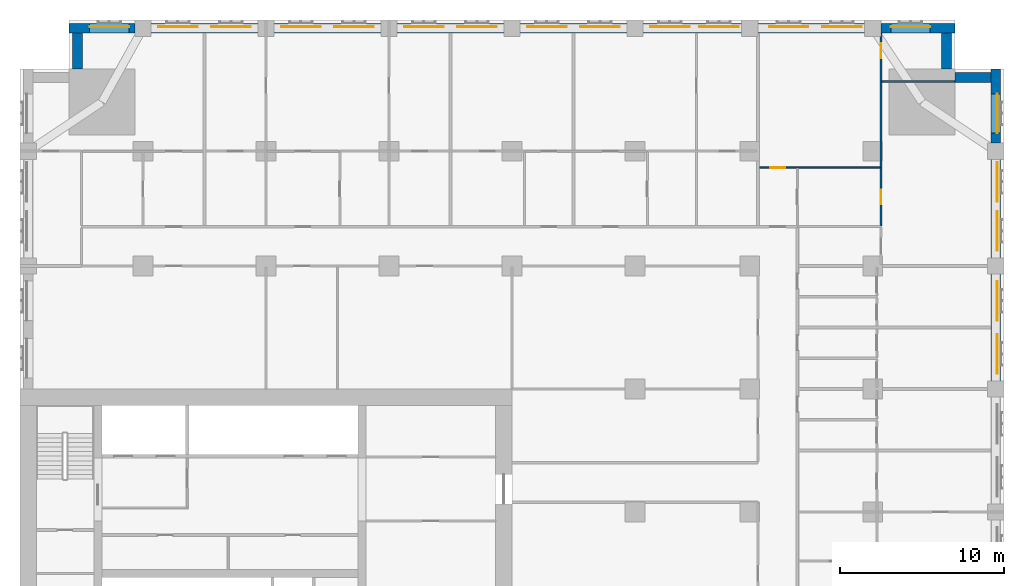
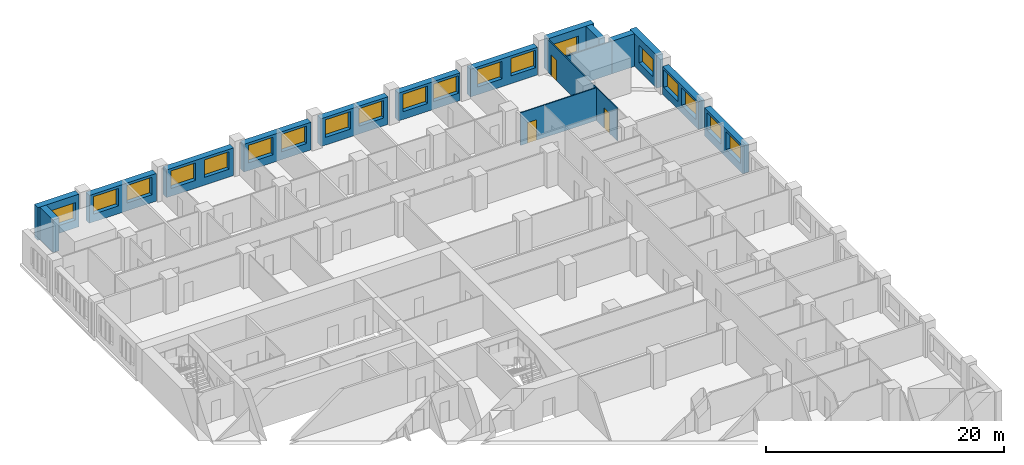
# One storey, part 11 of 14: 19 windows, 17 walls, 3 doors, 22 openings.
"""IFC4 building model written with IfcOpenShell, lengths in metres."""

from ifc_helpers import new_model, si_unit, direction, frame, frame_2d, origin, place, context, subcontext, project, spatial, rectangle, extrude, material, layer, layer_set, type_object, element, fill, save


model = new_model("IFC4")

# Units and contexts
model_context = context("Model", 3, precision=1e-05, world=origin(), true_north=direction((0.0, 1.0)))
body_context = subcontext(model_context, "Body", "Model", "MODEL_VIEW")
ifc_project = project(units=[si_unit("LENGTHUNIT", "METRE"), si_unit("AREAUNIT", "SQUARE_METRE"), si_unit("VOLUMEUNIT", "CUBIC_METRE"), si_unit("PLANEANGLEUNIT", "RADIAN"), si_unit("MASSUNIT", "GRAM", prefix="KILO")], contexts=[model_context])

# Site, building, storey
site_placement = place(None, origin())
site = spatial("IfcSite", under=ifc_project, at=site_placement, CompositionType="ELEMENT")
building_placement = place(site_placement, origin())
building = spatial("IfcBuilding", under=site, at=building_placement, Name="Tamorin Gate", CompositionType="ELEMENT")
storey_placement = place(building_placement, frame((0.0, 0.0, 55.60009765625)))
storey = spatial("IfcBuildingStorey", under=building, at=storey_placement, Name="L12", CompositionType="ELEMENT", Elevation=55.60009765625)

# Wall, openings, windows
ifc_material_1 = material(Name="Precast concrete C40/50", Category="concrete")
ifc_layer_1 = layer(ifc_material_1, 0.60009765625)
ifc_layer_set_1 = layer_set([ifc_layer_1], Name="Precast concrete C40/50")
wall_type_1 = type_object("IfcWallType", Name="Board-marked concrete facade panel 600", PredefinedType="SOLIDWALL", material=ifc_layer_set_1)
wall_1_placement = place(storey_placement, frame((89.5, 83.0, 0.0), z_axis=(0.0, 0.0, 1.0), x_axis=(0.0, 1.0, 0.0)))
wall_1 = element("IfcWall", 1, at=wall_1_placement, inside=storey, type_object=wall_type_1, Name="Facade panel", PredefinedType="SOLIDWALL", context=body_context, shape_type="SweptSolid", body=[
    extrude(rectangle(XDim=6.5, YDim=0.60009765625, at=frame_2d((3.25, 0.0))), origin(), (0.0, 0.0, 1.0), 2.849853515625),
])
opening_1_placement = place(wall_1_placement, frame((0.425048828125, 0.0, 0.800048828125)))
opening_1 = element("IfcOpeningElement", 2, at=opening_1_placement, cuts=wall_1, Name="Opening WN1", PredefinedType="OPENING", context=body_context, shape_type="SweptSolid", body=[
    extrude(rectangle(XDim=2.39990234375, YDim=1.800048828125, at=frame_2d((1.199951171875, 0.89990234375))), frame((0.0, 0.31005859375, 0.0), z_axis=(0.0, -1.0, 0.0), x_axis=(1.0, 0.0, 0.0)), (0.0, 0.0, 1.0), 0.6201171875),
])
opening_2_placement = place(wall_1_placement, frame((3.675048828125, 0.0, 0.800048828125)))
opening_2 = element("IfcOpeningElement", 3, at=opening_2_placement, cuts=wall_1, Name="Opening WN1", PredefinedType="OPENING", context=body_context, shape_type="SweptSolid", body=[
    extrude(rectangle(XDim=2.39990234375, YDim=1.800048828125, at=frame_2d((1.199951171875, 0.89990234375))), frame((0.0, 0.31005859375, 0.0), z_axis=(0.0, -1.0, 0.0), x_axis=(1.0, 0.0, 0.0)), (0.0, 0.0, 1.0), 0.6201171875),
])
ifc_material_2 = material(Name="Clear glass in aluminium frame", Category="aluminium")
window_type = type_object("IfcWindowType", Name="Deep-set window 2400x1800", PartitioningType="SINGLE_PANEL", PredefinedType="WINDOW", material=ifc_material_2)
window_1_placement = place(opening_1_placement, origin())
window_1 = element("IfcWindow", 4, at=window_1_placement, inside=storey, type_object=window_type, Name="Deep-set window", OverallHeight=1.800048828125, OverallWidth=2.39990234375, PartitioningType="SINGLE_PANEL", PredefinedType="WINDOW", context=body_context, shape_type="SweptSolid", body=[
    extrude(rectangle(XDim=2.39990234375, YDim=1.800048828125, at=frame_2d((1.199951171875, 0.89990234375))), frame((0.0, -0.070068359375, 0.0), z_axis=(0.0, -1.0, 0.0), x_axis=(1.0, 0.0, 0.0)), (0.0, 0.0, 1.0), 0.06005859375),
])
fill(opening_1, window_1)
window_2_placement = place(opening_2_placement, origin())
window_2 = element("IfcWindow", 5, at=window_2_placement, inside=storey, type_object=window_type, Name="Deep-set window", OverallHeight=1.800048828125, OverallWidth=2.39990234375, PartitioningType="SINGLE_PANEL", PredefinedType="WINDOW", context=body_context, shape_type="SweptSolid", body=[
    extrude(rectangle(XDim=2.39990234375, YDim=1.800048828125, at=frame_2d((1.199951171875, 0.89990234375))), frame((0.0, -0.070068359375, 0.0), z_axis=(0.0, -1.0, 0.0), x_axis=(1.0, 0.0, 0.0)), (0.0, 0.0, 1.0), 0.06005859375),
])
fill(opening_2, window_2)

wall_2_placement = place(storey_placement, frame((89.5, 90.5, 0.0), z_axis=(0.0, 0.0, 1.0), x_axis=(0.0, 1.0, 0.0)))
wall_2 = element("IfcWall", 6, at=wall_2_placement, inside=storey, type_object=wall_type_1, Name="Facade panel", PredefinedType="SOLIDWALL", context=body_context, shape_type="SweptSolid", body=[
    extrude(rectangle(XDim=6.0, YDim=0.60009765625, at=frame_2d((3.0, 0.0))), origin(), (0.0, 0.0, 1.0), 2.849853515625),
])
opening_3_placement = place(wall_2_placement, frame((0.425048828125, 0.0, 0.800048828125)))
opening_3 = element("IfcOpeningElement", 7, at=opening_3_placement, cuts=wall_2, Name="Opening WN1", PredefinedType="OPENING", context=body_context, shape_type="SweptSolid", body=[
    extrude(rectangle(XDim=2.39990234375, YDim=1.800048828125, at=frame_2d((1.199951171875, 0.89990234375))), frame((0.0, 0.31005859375, 0.0), z_axis=(0.0, -1.0, 0.0), x_axis=(1.0, 0.0, 0.0)), (0.0, 0.0, 1.0), 0.6201171875),
])
opening_4_placement = place(wall_2_placement, frame((3.425048828125, 0.0, 0.800048828125)))
opening_4 = element("IfcOpeningElement", 8, at=opening_4_placement, cuts=wall_2, Name="Opening WN1", PredefinedType="OPENING", context=body_context, shape_type="SweptSolid", body=[
    extrude(rectangle(XDim=2.39990234375, YDim=1.800048828125, at=frame_2d((1.199951171875, 0.89990234375))), frame((0.0, 0.31005859375, 0.0), z_axis=(0.0, -1.0, 0.0), x_axis=(1.0, 0.0, 0.0)), (0.0, 0.0, 1.0), 0.6201171875),
])
window_3_placement = place(opening_3_placement, origin())
window_3 = element("IfcWindow", 9, at=window_3_placement, inside=storey, type_object=window_type, Name="Deep-set window", OverallHeight=1.800048828125, OverallWidth=2.39990234375, PartitioningType="SINGLE_PANEL", PredefinedType="WINDOW", context=body_context, shape_type="SweptSolid", body=[
    extrude(rectangle(XDim=2.39990234375, YDim=1.800048828125, at=frame_2d((1.199951171875, 0.89990234375))), frame((0.0, -0.070068359375, 0.0), z_axis=(0.0, -1.0, 0.0), x_axis=(1.0, 0.0, 0.0)), (0.0, 0.0, 1.0), 0.06005859375),
])
fill(opening_3, window_3)
window_4_placement = place(opening_4_placement, origin())
window_4 = element("IfcWindow", 10, at=window_4_placement, inside=storey, type_object=window_type, Name="Deep-set window", OverallHeight=1.800048828125, OverallWidth=2.39990234375, PartitioningType="SINGLE_PANEL", PredefinedType="WINDOW", context=body_context, shape_type="SweptSolid", body=[
    extrude(rectangle(XDim=2.39990234375, YDim=1.800048828125, at=frame_2d((1.199951171875, 0.89990234375))), frame((0.0, -0.070068359375, 0.0), z_axis=(0.0, -1.0, 0.0), x_axis=(1.0, 0.0, 0.0)), (0.0, 0.0, 1.0), 0.06005859375),
])
fill(opening_4, window_4)

# Wall, opening, window
wall_3_placement = place(storey_placement, frame((89.5, 97.5, 0.0), z_axis=(0.0, 0.0, 1.0), x_axis=(0.0, 1.0, 0.0)))
wall_3 = element("IfcWall", 11, at=wall_3_placement, inside=storey, type_object=wall_type_1, Name="Facade panel", PredefinedType="SOLIDWALL", context=body_context, shape_type="SweptSolid", body=[
    extrude(rectangle(XDim=4.5, YDim=0.60009765625, at=frame_2d((2.25, 0.0))), origin(), (0.0, 0.0, 1.0), 3.349853515625),
])
opening_5_placement = place(wall_3_placement, frame((0.60009765625, 0.0, 0.800048828125)))
opening_5 = element("IfcOpeningElement", 12, at=opening_5_placement, cuts=wall_3, Name="Opening WN1", PredefinedType="OPENING", context=body_context, shape_type="SweptSolid", body=[
    extrude(rectangle(XDim=2.39990234375, YDim=1.800048828125, at=frame_2d((1.199951171875, 0.89990234375))), frame((0.0, 0.31005859375, 0.0), z_axis=(0.0, -1.0, 0.0), x_axis=(1.0, 0.0, 0.0)), (0.0, 0.0, 1.0), 0.6201171875),
])
window_5_placement = place(opening_5_placement, origin())
window_5 = element("IfcWindow", 13, at=window_5_placement, inside=storey, type_object=window_type, Name="Deep-set window", OverallHeight=1.800048828125, OverallWidth=2.39990234375, PartitioningType="SINGLE_PANEL", PredefinedType="WINDOW", context=body_context, shape_type="SweptSolid", body=[
    extrude(rectangle(XDim=2.39990234375, YDim=1.800048828125, at=frame_2d((1.199951171875, 0.89990234375))), frame((0.0, -0.070068359375, 0.0), z_axis=(0.0, -1.0, 0.0), x_axis=(1.0, 0.0, 0.0)), (0.0, 0.0, 1.0), 0.06005859375),
])
fill(opening_5, window_5)

# Walls
for number, where, z_axis, x_axis, name in (
    (14, (89.199951171875, 101.5, 0.0), (0.0, 0.0, 1.0), (-1.0, 0.0, 0.0), "Facade panel"),
    (15, (86.5, 102.0, 0.0), (0.0, 0.0, 1.0), (0.0, 1.0, 0.0), "Facade panel"),
):
    element("IfcWall", number, at=place(storey_placement, frame(where, z_axis=z_axis, x_axis=x_axis)), inside=storey, type_object=wall_type_1, Name=name, PredefinedType="SOLIDWALL", context=body_context, shape_type="SweptSolid", body=[
        extrude(rectangle(XDim=2.199951171875, YDim=0.60009765625, at=frame_2d((1.10009765625, 0.0))), origin(), (0.0, 0.0, 1.0), 3.349853515625),
    ])

# Wall, opening, window
wall_4_placement = place(storey_placement, frame((87.0, 104.5, 0.0), z_axis=(0.0, 0.0, 1.0), x_axis=(-1.0, 0.0, 0.0)))
wall_4 = element("IfcWall", 16, at=wall_4_placement, inside=storey, type_object=wall_type_1, Name="Facade panel", PredefinedType="SOLIDWALL", context=body_context, shape_type="SweptSolid", body=[
    extrude(rectangle(XDim=4.5, YDim=0.60009765625, at=frame_2d((2.25, 0.0))), origin(), (0.0, 0.0, 1.0), 3.349853515625),
])
opening_6_placement = place(wall_4_placement, frame((1.5, 0.0, 0.800048828125)))
opening_6 = element("IfcOpeningElement", 17, at=opening_6_placement, cuts=wall_4, Name="Opening WN1", PredefinedType="OPENING", context=body_context, shape_type="SweptSolid", body=[
    extrude(rectangle(XDim=2.39990234375, YDim=1.800048828125, at=frame_2d((1.199951171875, 0.89990234375))), frame((0.0, 0.31005859375, 0.0), z_axis=(0.0, -1.0, 0.0), x_axis=(1.0, 0.0, 0.0)), (0.0, 0.0, 1.0), 0.6201171875),
])
window_6_placement = place(opening_6_placement, origin())
window_6 = element("IfcWindow", 18, at=window_6_placement, inside=storey, type_object=window_type, Name="Deep-set window", OverallHeight=1.800048828125, OverallWidth=2.39990234375, PartitioningType="SINGLE_PANEL", PredefinedType="WINDOW", context=body_context, shape_type="SweptSolid", body=[
    extrude(rectangle(XDim=2.39990234375, YDim=1.800048828125, at=frame_2d((1.199951171875, 0.89990234375))), frame((0.0, -0.070068359375, 0.0), z_axis=(0.0, -1.0, 0.0), x_axis=(1.0, 0.0, 0.0)), (0.0, 0.0, 1.0), 0.06005859375),
])
fill(opening_6, window_6)

# Wall, openings, windows
wall_5_placement = place(storey_placement, frame((81.5, 104.5, 0.0), z_axis=(0.0, 0.0, 1.0), x_axis=(-1.0, 0.0, 0.0)))
wall_5 = element("IfcWall", 19, at=wall_5_placement, inside=storey, type_object=wall_type_1, Name="Facade panel", PredefinedType="SOLIDWALL", context=body_context, shape_type="SweptSolid", body=[
    extrude(rectangle(XDim=6.5, YDim=0.60009765625, at=frame_2d((3.25, 0.0))), origin(), (0.0, 0.0, 1.0), 2.849853515625),
])
opening_7_placement = place(wall_5_placement, frame((3.425048828125, 0.0, 0.800048828125)))
opening_7 = element("IfcOpeningElement", 20, at=opening_7_placement, cuts=wall_5, Name="Opening WN1", PredefinedType="OPENING", context=body_context, shape_type="SweptSolid", body=[
    extrude(rectangle(XDim=2.39990234375, YDim=1.800048828125, at=frame_2d((1.199951171875, 0.89990234375))), frame((0.0, 0.31005859375, 0.0), z_axis=(0.0, -1.0, 0.0), x_axis=(1.0, 0.0, 0.0)), (0.0, 0.0, 1.0), 0.6201171875),
])
opening_8_placement = place(wall_5_placement, frame((0.175048828125, 0.0, 0.800048828125)))
opening_8 = element("IfcOpeningElement", 21, at=opening_8_placement, cuts=wall_5, Name="Opening WN1", PredefinedType="OPENING", context=body_context, shape_type="SweptSolid", body=[
    extrude(rectangle(XDim=2.39990234375, YDim=1.800048828125, at=frame_2d((1.199951171875, 0.89990234375))), frame((0.0, 0.31005859375, 0.0), z_axis=(0.0, -1.0, 0.0), x_axis=(1.0, 0.0, 0.0)), (0.0, 0.0, 1.0), 0.6201171875),
])
window_7_placement = place(opening_7_placement, origin())
window_7 = element("IfcWindow", 22, at=window_7_placement, inside=storey, type_object=window_type, Name="Deep-set window", OverallHeight=1.800048828125, OverallWidth=2.39990234375, PartitioningType="SINGLE_PANEL", PredefinedType="WINDOW", context=body_context, shape_type="SweptSolid", body=[
    extrude(rectangle(XDim=2.39990234375, YDim=1.800048828125, at=frame_2d((1.199951171875, 0.89990234375))), frame((0.0, -0.070068359375, 0.0), z_axis=(0.0, -1.0, 0.0), x_axis=(1.0, 0.0, 0.0)), (0.0, 0.0, 1.0), 0.06005859375),
])
fill(opening_7, window_7)
window_8_placement = place(opening_8_placement, origin())
window_8 = element("IfcWindow", 23, at=window_8_placement, inside=storey, type_object=window_type, Name="Deep-set window", OverallHeight=1.800048828125, OverallWidth=2.39990234375, PartitioningType="SINGLE_PANEL", PredefinedType="WINDOW", context=body_context, shape_type="SweptSolid", body=[
    extrude(rectangle(XDim=2.39990234375, YDim=1.800048828125, at=frame_2d((1.199951171875, 0.89990234375))), frame((0.0, -0.070068359375, 0.0), z_axis=(0.0, -1.0, 0.0), x_axis=(1.0, 0.0, 0.0)), (0.0, 0.0, 1.0), 0.06005859375),
])
fill(opening_8, window_8)

wall_6_placement = place(storey_placement, frame((74.0, 104.5, 0.0), z_axis=(0.0, 0.0, 1.0), x_axis=(-1.0, 0.0, 0.0)))
wall_6 = element("IfcWall", 24, at=wall_6_placement, inside=storey, type_object=wall_type_1, Name="Facade panel", PredefinedType="SOLIDWALL", context=body_context, shape_type="SweptSolid", body=[
    extrude(rectangle(XDim=6.0, YDim=0.60009765625, at=frame_2d((3.0, 0.0))), origin(), (0.0, 0.0, 1.0), 2.849853515625),
])
opening_9_placement = place(wall_6_placement, frame((3.175048828125, 0.0, 0.800048828125)))
opening_9 = element("IfcOpeningElement", 25, at=opening_9_placement, cuts=wall_6, Name="Opening WN1", PredefinedType="OPENING", context=body_context, shape_type="SweptSolid", body=[
    extrude(rectangle(XDim=2.39990234375, YDim=1.800048828125, at=frame_2d((1.199951171875, 0.89990234375))), frame((0.0, 0.31005859375, 0.0), z_axis=(0.0, -1.0, 0.0), x_axis=(1.0, 0.0, 0.0)), (0.0, 0.0, 1.0), 0.6201171875),
])
opening_10_placement = place(wall_6_placement, frame((0.175048828125, 0.0, 0.800048828125)))
opening_10 = element("IfcOpeningElement", 26, at=opening_10_placement, cuts=wall_6, Name="Opening WN1", PredefinedType="OPENING", context=body_context, shape_type="SweptSolid", body=[
    extrude(rectangle(XDim=2.39990234375, YDim=1.800048828125, at=frame_2d((1.199951171875, 0.89990234375))), frame((0.0, 0.31005859375, 0.0), z_axis=(0.0, -1.0, 0.0), x_axis=(1.0, 0.0, 0.0)), (0.0, 0.0, 1.0), 0.6201171875),
])
window_9_placement = place(opening_9_placement, origin())
window_9 = element("IfcWindow", 27, at=window_9_placement, inside=storey, type_object=window_type, Name="Deep-set window", OverallHeight=1.800048828125, OverallWidth=2.39990234375, PartitioningType="SINGLE_PANEL", PredefinedType="WINDOW", context=body_context, shape_type="SweptSolid", body=[
    extrude(rectangle(XDim=2.39990234375, YDim=1.800048828125, at=frame_2d((1.199951171875, 0.89990234375))), frame((0.0, -0.070068359375, 0.0), z_axis=(0.0, -1.0, 0.0), x_axis=(1.0, 0.0, 0.0)), (0.0, 0.0, 1.0), 0.06005859375),
])
fill(opening_9, window_9)
window_10_placement = place(opening_10_placement, origin())
window_10 = element("IfcWindow", 28, at=window_10_placement, inside=storey, type_object=window_type, Name="Deep-set window", OverallHeight=1.800048828125, OverallWidth=2.39990234375, PartitioningType="SINGLE_PANEL", PredefinedType="WINDOW", context=body_context, shape_type="SweptSolid", body=[
    extrude(rectangle(XDim=2.39990234375, YDim=1.800048828125, at=frame_2d((1.199951171875, 0.89990234375))), frame((0.0, -0.070068359375, 0.0), z_axis=(0.0, -1.0, 0.0), x_axis=(1.0, 0.0, 0.0)), (0.0, 0.0, 1.0), 0.06005859375),
])
fill(opening_10, window_10)

wall_7_placement = place(storey_placement, frame((67.0, 104.5, 0.0), z_axis=(0.0, 0.0, 1.0), x_axis=(-1.0, 0.0, 0.0)))
wall_7 = element("IfcWall", 29, at=wall_7_placement, inside=storey, type_object=wall_type_1, Name="Facade panel", PredefinedType="SOLIDWALL", context=body_context, shape_type="SweptSolid", body=[
    extrude(rectangle(XDim=6.5, YDim=0.60009765625, at=frame_2d((3.25, 0.0))), origin(), (0.0, 0.0, 1.0), 2.849853515625),
])
opening_11_placement = place(wall_7_placement, frame((3.675048828125, 0.0, 0.800048828125)))
opening_11 = element("IfcOpeningElement", 30, at=opening_11_placement, cuts=wall_7, Name="Opening WN1", PredefinedType="OPENING", context=body_context, shape_type="SweptSolid", body=[
    extrude(rectangle(XDim=2.39990234375, YDim=1.800048828125, at=frame_2d((1.199951171875, 0.89990234375))), frame((0.0, 0.31005859375, 0.0), z_axis=(0.0, -1.0, 0.0), x_axis=(1.0, 0.0, 0.0)), (0.0, 0.0, 1.0), 0.6201171875),
])
opening_12_placement = place(wall_7_placement, frame((0.425048828125, 0.0, 0.800048828125)))
opening_12 = element("IfcOpeningElement", 31, at=opening_12_placement, cuts=wall_7, Name="Opening WN1", PredefinedType="OPENING", context=body_context, shape_type="SweptSolid", body=[
    extrude(rectangle(XDim=2.39990234375, YDim=1.800048828125, at=frame_2d((1.199951171875, 0.89990234375))), frame((0.0, 0.31005859375, 0.0), z_axis=(0.0, -1.0, 0.0), x_axis=(1.0, 0.0, 0.0)), (0.0, 0.0, 1.0), 0.6201171875),
])
window_11_placement = place(opening_11_placement, origin())
window_11 = element("IfcWindow", 32, at=window_11_placement, inside=storey, type_object=window_type, Name="Deep-set window", OverallHeight=1.800048828125, OverallWidth=2.39990234375, PartitioningType="SINGLE_PANEL", PredefinedType="WINDOW", context=body_context, shape_type="SweptSolid", body=[
    extrude(rectangle(XDim=2.39990234375, YDim=1.800048828125, at=frame_2d((1.199951171875, 0.89990234375))), frame((0.0, -0.070068359375, 0.0), z_axis=(0.0, -1.0, 0.0), x_axis=(1.0, 0.0, 0.0)), (0.0, 0.0, 1.0), 0.06005859375),
])
fill(opening_11, window_11)
window_12_placement = place(opening_12_placement, origin())
window_12 = element("IfcWindow", 33, at=window_12_placement, inside=storey, type_object=window_type, Name="Deep-set window", OverallHeight=1.800048828125, OverallWidth=2.39990234375, PartitioningType="SINGLE_PANEL", PredefinedType="WINDOW", context=body_context, shape_type="SweptSolid", body=[
    extrude(rectangle(XDim=2.39990234375, YDim=1.800048828125, at=frame_2d((1.199951171875, 0.89990234375))), frame((0.0, -0.070068359375, 0.0), z_axis=(0.0, -1.0, 0.0), x_axis=(1.0, 0.0, 0.0)), (0.0, 0.0, 1.0), 0.06005859375),
])
fill(opening_12, window_12)

wall_8_placement = place(storey_placement, frame((59.5, 104.5, 0.0), z_axis=(0.0, 0.0, 1.0), x_axis=(-1.0, 0.0, 0.0)))
wall_8 = element("IfcWall", 34, at=wall_8_placement, inside=storey, type_object=wall_type_1, Name="Facade panel", PredefinedType="SOLIDWALL", context=body_context, shape_type="SweptSolid", body=[
    extrude(rectangle(XDim=6.5, YDim=0.60009765625, at=frame_2d((3.25, 0.0))), origin(), (0.0, 0.0, 1.0), 2.849853515625),
])
opening_13_placement = place(wall_8_placement, frame((3.675048828125, 0.0, 0.800048828125)))
opening_13 = element("IfcOpeningElement", 35, at=opening_13_placement, cuts=wall_8, Name="Opening WN1", PredefinedType="OPENING", context=body_context, shape_type="SweptSolid", body=[
    extrude(rectangle(XDim=2.39990234375, YDim=1.800048828125, at=frame_2d((1.199951171875, 0.89990234375))), frame((0.0, 0.31005859375, 0.0), z_axis=(0.0, -1.0, 0.0), x_axis=(1.0, 0.0, 0.0)), (0.0, 0.0, 1.0), 0.6201171875),
])
opening_14_placement = place(wall_8_placement, frame((0.425048828125, 0.0, 0.800048828125)))
opening_14 = element("IfcOpeningElement", 36, at=opening_14_placement, cuts=wall_8, Name="Opening WN1", PredefinedType="OPENING", context=body_context, shape_type="SweptSolid", body=[
    extrude(rectangle(XDim=2.39990234375, YDim=1.800048828125, at=frame_2d((1.199951171875, 0.89990234375))), frame((0.0, 0.31005859375, 0.0), z_axis=(0.0, -1.0, 0.0), x_axis=(1.0, 0.0, 0.0)), (0.0, 0.0, 1.0), 0.6201171875),
])
window_13_placement = place(opening_13_placement, origin())
window_13 = element("IfcWindow", 37, at=window_13_placement, inside=storey, type_object=window_type, Name="Deep-set window", OverallHeight=1.800048828125, OverallWidth=2.39990234375, PartitioningType="SINGLE_PANEL", PredefinedType="WINDOW", context=body_context, shape_type="SweptSolid", body=[
    extrude(rectangle(XDim=2.39990234375, YDim=1.800048828125, at=frame_2d((1.199951171875, 0.89990234375))), frame((0.0, -0.070068359375, 0.0), z_axis=(0.0, -1.0, 0.0), x_axis=(1.0, 0.0, 0.0)), (0.0, 0.0, 1.0), 0.06005859375),
])
fill(opening_13, window_13)
window_14_placement = place(opening_14_placement, origin())
window_14 = element("IfcWindow", 38, at=window_14_placement, inside=storey, type_object=window_type, Name="Deep-set window", OverallHeight=1.800048828125, OverallWidth=2.39990234375, PartitioningType="SINGLE_PANEL", PredefinedType="WINDOW", context=body_context, shape_type="SweptSolid", body=[
    extrude(rectangle(XDim=2.39990234375, YDim=1.800048828125, at=frame_2d((1.199951171875, 0.89990234375))), frame((0.0, -0.070068359375, 0.0), z_axis=(0.0, -1.0, 0.0), x_axis=(1.0, 0.0, 0.0)), (0.0, 0.0, 1.0), 0.06005859375),
])
fill(opening_14, window_14)

wall_9_placement = place(storey_placement, frame((52.0, 104.5, 0.0), z_axis=(0.0, 0.0, 1.0), x_axis=(-1.0, 0.0, 0.0)))
wall_9 = element("IfcWall", 39, at=wall_9_placement, inside=storey, type_object=wall_type_1, Name="Facade panel", PredefinedType="SOLIDWALL", context=body_context, shape_type="SweptSolid", body=[
    extrude(rectangle(XDim=6.5, YDim=0.60009765625, at=frame_2d((3.25, 0.0))), origin(), (0.0, 0.0, 1.0), 2.849853515625),
])
opening_15_placement = place(wall_9_placement, frame((3.675048828125, 0.0, 0.800048828125)))
opening_15 = element("IfcOpeningElement", 40, at=opening_15_placement, cuts=wall_9, Name="Opening WN1", PredefinedType="OPENING", context=body_context, shape_type="SweptSolid", body=[
    extrude(rectangle(XDim=2.39990234375, YDim=1.800048828125, at=frame_2d((1.199951171875, 0.89990234375))), frame((0.0, 0.31005859375, 0.0), z_axis=(0.0, -1.0, 0.0), x_axis=(1.0, 0.0, 0.0)), (0.0, 0.0, 1.0), 0.6201171875),
])
opening_16_placement = place(wall_9_placement, frame((0.425048828125, 0.0, 0.800048828125)))
opening_16 = element("IfcOpeningElement", 41, at=opening_16_placement, cuts=wall_9, Name="Opening WN1", PredefinedType="OPENING", context=body_context, shape_type="SweptSolid", body=[
    extrude(rectangle(XDim=2.39990234375, YDim=1.800048828125, at=frame_2d((1.199951171875, 0.89990234375))), frame((0.0, 0.31005859375, 0.0), z_axis=(0.0, -1.0, 0.0), x_axis=(1.0, 0.0, 0.0)), (0.0, 0.0, 1.0), 0.6201171875),
])
window_15_placement = place(opening_15_placement, origin())
window_15 = element("IfcWindow", 42, at=window_15_placement, inside=storey, type_object=window_type, Name="Deep-set window", OverallHeight=1.800048828125, OverallWidth=2.39990234375, PartitioningType="SINGLE_PANEL", PredefinedType="WINDOW", context=body_context, shape_type="SweptSolid", body=[
    extrude(rectangle(XDim=2.39990234375, YDim=1.800048828125, at=frame_2d((1.199951171875, 0.89990234375))), frame((0.0, -0.070068359375, 0.0), z_axis=(0.0, -1.0, 0.0), x_axis=(1.0, 0.0, 0.0)), (0.0, 0.0, 1.0), 0.06005859375),
])
fill(opening_15, window_15)
window_16_placement = place(opening_16_placement, origin())
window_16 = element("IfcWindow", 43, at=window_16_placement, inside=storey, type_object=window_type, Name="Deep-set window", OverallHeight=1.800048828125, OverallWidth=2.39990234375, PartitioningType="SINGLE_PANEL", PredefinedType="WINDOW", context=body_context, shape_type="SweptSolid", body=[
    extrude(rectangle(XDim=2.39990234375, YDim=1.800048828125, at=frame_2d((1.199951171875, 0.89990234375))), frame((0.0, -0.070068359375, 0.0), z_axis=(0.0, -1.0, 0.0), x_axis=(1.0, 0.0, 0.0)), (0.0, 0.0, 1.0), 0.06005859375),
])
fill(opening_16, window_16)

wall_10_placement = place(storey_placement, frame((44.5, 104.5, 0.0), z_axis=(0.0, 0.0, 1.0), x_axis=(-1.0, 0.0, 0.0)))
wall_10 = element("IfcWall", 44, at=wall_10_placement, inside=storey, type_object=wall_type_1, Name="Facade panel", PredefinedType="SOLIDWALL", context=body_context, shape_type="SweptSolid", body=[
    extrude(rectangle(XDim=6.5, YDim=0.60009765625, at=frame_2d((3.25, 0.0))), origin(), (0.0, 0.0, 1.0), 2.849853515625),
])
opening_17_placement = place(wall_10_placement, frame((3.675048828125, 0.0, 0.800048828125)))
opening_17 = element("IfcOpeningElement", 45, at=opening_17_placement, cuts=wall_10, Name="Opening WN1", PredefinedType="OPENING", context=body_context, shape_type="SweptSolid", body=[
    extrude(rectangle(XDim=2.39990234375, YDim=1.800048828125, at=frame_2d((1.199951171875, 0.89990234375))), frame((0.0, 0.31005859375, 0.0), z_axis=(0.0, -1.0, 0.0), x_axis=(1.0, 0.0, 0.0)), (0.0, 0.0, 1.0), 0.6201171875),
])
opening_18_placement = place(wall_10_placement, frame((0.425048828125, 0.0, 0.800048828125)))
opening_18 = element("IfcOpeningElement", 46, at=opening_18_placement, cuts=wall_10, Name="Opening WN1", PredefinedType="OPENING", context=body_context, shape_type="SweptSolid", body=[
    extrude(rectangle(XDim=2.39990234375, YDim=1.800048828125, at=frame_2d((1.199951171875, 0.89990234375))), frame((0.0, 0.31005859375, 0.0), z_axis=(0.0, -1.0, 0.0), x_axis=(1.0, 0.0, 0.0)), (0.0, 0.0, 1.0), 0.6201171875),
])
window_17_placement = place(opening_17_placement, origin())
window_17 = element("IfcWindow", 47, at=window_17_placement, inside=storey, type_object=window_type, Name="Deep-set window", OverallHeight=1.800048828125, OverallWidth=2.39990234375, PartitioningType="SINGLE_PANEL", PredefinedType="WINDOW", context=body_context, shape_type="SweptSolid", body=[
    extrude(rectangle(XDim=2.39990234375, YDim=1.800048828125, at=frame_2d((1.199951171875, 0.89990234375))), frame((0.0, -0.070068359375, 0.0), z_axis=(0.0, -1.0, 0.0), x_axis=(1.0, 0.0, 0.0)), (0.0, 0.0, 1.0), 0.06005859375),
])
fill(opening_17, window_17)
window_18_placement = place(opening_18_placement, origin())
window_18 = element("IfcWindow", 48, at=window_18_placement, inside=storey, type_object=window_type, Name="Deep-set window", OverallHeight=1.800048828125, OverallWidth=2.39990234375, PartitioningType="SINGLE_PANEL", PredefinedType="WINDOW", context=body_context, shape_type="SweptSolid", body=[
    extrude(rectangle(XDim=2.39990234375, YDim=1.800048828125, at=frame_2d((1.199951171875, 0.89990234375))), frame((0.0, -0.070068359375, 0.0), z_axis=(0.0, -1.0, 0.0), x_axis=(1.0, 0.0, 0.0)), (0.0, 0.0, 1.0), 0.06005859375),
])
fill(opening_18, window_18)

# Wall, opening, window
wall_11_placement = place(storey_placement, frame((37.0, 104.5, 0.0), z_axis=(0.0, 0.0, 1.0), x_axis=(-1.0, 0.0, 0.0)))
wall_11 = element("IfcWall", 49, at=wall_11_placement, inside=storey, type_object=wall_type_1, Name="Facade panel", PredefinedType="SOLIDWALL", context=body_context, shape_type="SweptSolid", body=[
    extrude(rectangle(XDim=4.0, YDim=0.60009765625, at=frame_2d((2.0, 0.0))), origin(), (0.0, 0.0, 1.0), 3.349853515625),
])
opening_19_placement = place(wall_11_placement, frame((0.35009765625, 0.0, 0.800048828125)))
opening_19 = element("IfcOpeningElement", 50, at=opening_19_placement, cuts=wall_11, Name="Opening WN1", PredefinedType="OPENING", context=body_context, shape_type="SweptSolid", body=[
    extrude(rectangle(XDim=2.39990234375, YDim=1.800048828125, at=frame_2d((1.199951171875, 0.89990234375))), frame((0.0, 0.31005859375, 0.0), z_axis=(0.0, -1.0, 0.0), x_axis=(1.0, 0.0, 0.0)), (0.0, 0.0, 1.0), 0.6201171875),
])
window_19_placement = place(opening_19_placement, origin())
window_19 = element("IfcWindow", 51, at=window_19_placement, inside=storey, type_object=window_type, Name="Deep-set window", OverallHeight=1.800048828125, OverallWidth=2.39990234375, PartitioningType="SINGLE_PANEL", PredefinedType="WINDOW", context=body_context, shape_type="SweptSolid", body=[
    extrude(rectangle(XDim=2.39990234375, YDim=1.800048828125, at=frame_2d((1.199951171875, 0.89990234375))), frame((0.0, -0.070068359375, 0.0), z_axis=(0.0, -1.0, 0.0), x_axis=(1.0, 0.0, 0.0)), (0.0, 0.0, 1.0), 0.06005859375),
])
fill(opening_19, window_19)

# Wall
wall_12_placement = place(storey_placement, frame((33.5, 104.199951171875, 0.0), z_axis=(0.0, 0.0, 1.0), x_axis=(0.0, -1.0, 0.0)))
element("IfcWall", 52, at=wall_12_placement, inside=storey, type_object=wall_type_1, Name="Facade panel", PredefinedType="SOLIDWALL", context=body_context, shape_type="SweptSolid", body=[
    extrude(rectangle(XDim=2.199951171875, YDim=0.60009765625, at=frame_2d((1.10009765625, 0.0))), origin(), (0.0, 0.0, 1.0), 3.349853515625),
])

# Wall, opening, door
ifc_material_3 = material(Name="Gypsum board partition")
ifc_layer_2 = layer(ifc_material_3, 0.10009765625)
ifc_layer_set_2 = layer_set([ifc_layer_2], Name="Room partition 100")
wall_type_2 = type_object("IfcWallType", Name="Room partition 100", PredefinedType="PARTITIONING", material=ifc_layer_set_2)
wall_13_placement = place(storey_placement, frame((75.10009765625, 96.0, 0.0), z_axis=(0.0, 0.0, 1.0), x_axis=(1.0, 0.0, 0.0)))
wall_13 = element("IfcWall", 53, at=wall_13_placement, inside=storey, type_object=wall_type_2, Name="Room partition 100", PredefinedType="PARTITIONING", context=body_context, shape_type="SweptSolid", body=[
    extrude(rectangle(XDim=7.349853515625, YDim=0.10009765625, at=frame_2d((3.6748046875, 0.0))), origin(), (0.0, 0.0, 1.0), 3.349853515625),
])
opening_20_placement = place(wall_13_placement, frame((0.64990234375, 0.0, 0.0)))
opening_20 = element("IfcOpeningElement", 54, at=opening_20_placement, cuts=wall_13, Name="Opening DH3068", PredefinedType="OPENING", context=body_context, shape_type="SweptSolid", body=[
    extrude(rectangle(XDim=0.89990234375, YDim=2.10009765625, at=frame_2d((0.449951171875, 1.050048828125))), frame((0.0, 0.06005859375, 0.0), z_axis=(0.0, -1.0, 0.0), x_axis=(1.0, 0.0, 0.0)), (0.0, 0.0, 1.0), 0.1201171875),
])
ifc_material_4 = material(Name="Timber door leaf", Category="wood")
door_type = type_object("IfcDoorType", Name="Door 900 x 2100", OperationType="NOTDEFINED", PredefinedType="DOOR", material=ifc_material_4)
door_1_placement = place(opening_20_placement, origin())
door_1 = element("IfcDoor", 55, at=door_1_placement, inside=storey, type_object=door_type, Name="Door DH3068", OperationType="SINGLE_SWING_LEFT", OverallHeight=2.10009765625, OverallWidth=0.89990234375, PredefinedType="DOOR", context=body_context, shape_type="SweptSolid", body=[
    extrude(rectangle(XDim=0.89990234375, YDim=2.10009765625, at=frame_2d((0.449951171875, 1.050048828125))), frame((0.0, 0.02490234375, 0.0), z_axis=(0.0, -1.0, 0.0), x_axis=(1.0, 0.0, 0.0)), (0.0, 0.0, 1.0), 0.050048828125),
])
fill(opening_20, door_1)

# Wall
wall_14_placement = place(storey_placement, frame((82.550048828125, 101.25, 0.0), z_axis=(0.0, 0.0, 1.0), x_axis=(1.0, 0.0, 0.0)))
element("IfcWall", 56, at=wall_14_placement, inside=storey, type_object=wall_type_2, Name="Room partition 100", PredefinedType="PARTITIONING", context=body_context, shape_type="SweptSolid", body=[
    extrude(rectangle(XDim=4.43994140625, YDim=0.10009765625, at=frame_2d((2.219970703125, 0.0))), origin(), (0.0, 0.0, 1.0), 3.349853515625),
])

# Wall, openings, doors
wall_15_placement = place(storey_placement, frame((82.5, 92.46240234375, 0.0), z_axis=(0.0, 0.0, 1.0), x_axis=(0.0, 1.0, 0.0)))
wall_15 = element("IfcWall", 57, at=wall_15_placement, inside=storey, type_object=wall_type_2, Name="Room partition 100", PredefinedType="PARTITIONING", context=body_context, shape_type="SweptSolid", body=[
    extrude(rectangle(XDim=11.7275390625, YDim=0.10009765625, at=frame_2d((5.86376953125, 0.0))), origin(), (0.0, 0.0, 1.0), 3.349853515625),
])
opening_21_placement = place(wall_15_placement, frame((10.21240234375, 0.0, 0.0)))
opening_21 = element("IfcOpeningElement", 58, at=opening_21_placement, cuts=wall_15, Name="Opening DH3070", PredefinedType="OPENING", context=body_context, shape_type="SweptSolid", body=[
    extrude(rectangle(XDim=0.89990234375, YDim=2.10009765625, at=frame_2d((0.449951171875, 1.050048828125))), frame((0.0, 0.06005859375, 0.0), z_axis=(0.0, -1.0, 0.0), x_axis=(1.0, 0.0, 0.0)), (0.0, 0.0, 1.0), 0.1201171875),
])
opening_22_placement = place(wall_15_placement, frame((1.28759765625, 0.0, 0.0)))
opening_22 = element("IfcOpeningElement", 59, at=opening_22_placement, cuts=wall_15, Name="Opening DH3071", PredefinedType="OPENING", context=body_context, shape_type="SweptSolid", body=[
    extrude(rectangle(XDim=0.89990234375, YDim=2.10009765625, at=frame_2d((0.449951171875, 1.050048828125))), frame((0.0, 0.06005859375, 0.0), z_axis=(0.0, -1.0, 0.0), x_axis=(1.0, 0.0, 0.0)), (0.0, 0.0, 1.0), 0.1201171875),
])
door_2_placement = place(opening_21_placement, origin())
door_2 = element("IfcDoor", 60, at=door_2_placement, inside=storey, type_object=door_type, Name="Door DH3070", OperationType="SINGLE_SWING_LEFT", OverallHeight=2.10009765625, OverallWidth=0.89990234375, PredefinedType="DOOR", context=body_context, shape_type="SweptSolid", body=[
    extrude(rectangle(XDim=0.89990234375, YDim=2.10009765625, at=frame_2d((0.449951171875, 1.050048828125))), frame((0.0, 0.02490234375, 0.0), z_axis=(0.0, -1.0, 0.0), x_axis=(1.0, 0.0, 0.0)), (0.0, 0.0, 1.0), 0.050048828125),
])
fill(opening_21, door_2)
door_3_placement = place(opening_22_placement, origin())
door_3 = element("IfcDoor", 61, at=door_3_placement, inside=storey, type_object=door_type, Name="Door DH3071", OperationType="SINGLE_SWING_RIGHT", OverallHeight=2.10009765625, OverallWidth=0.89990234375, PredefinedType="DOOR", context=body_context, shape_type="SweptSolid", body=[
    extrude(rectangle(XDim=0.89990234375, YDim=2.10009765625, at=frame_2d((0.449951171875, 1.050048828125))), frame((0.0, 0.02490234375, 0.0), z_axis=(0.0, -1.0, 0.0), x_axis=(1.0, 0.0, 0.0)), (0.0, 0.0, 1.0), 0.050048828125),
])
fill(opening_22, door_3)

save(model, "model.ifc")
